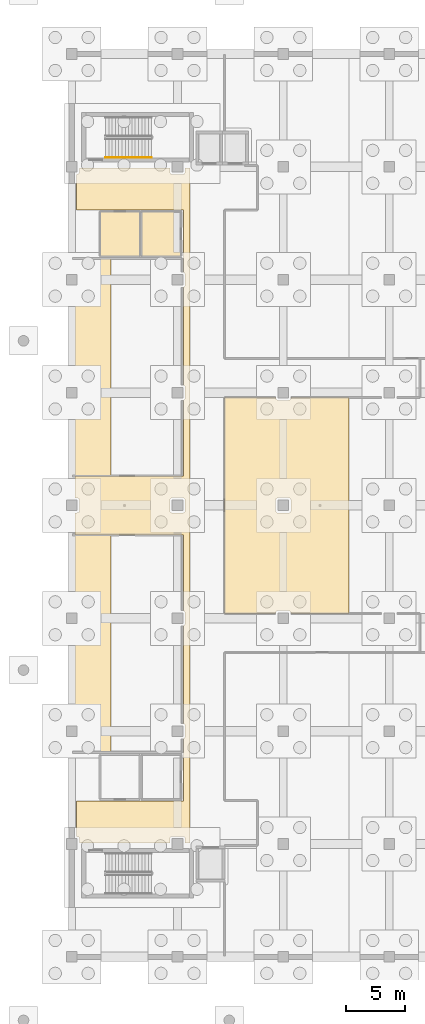
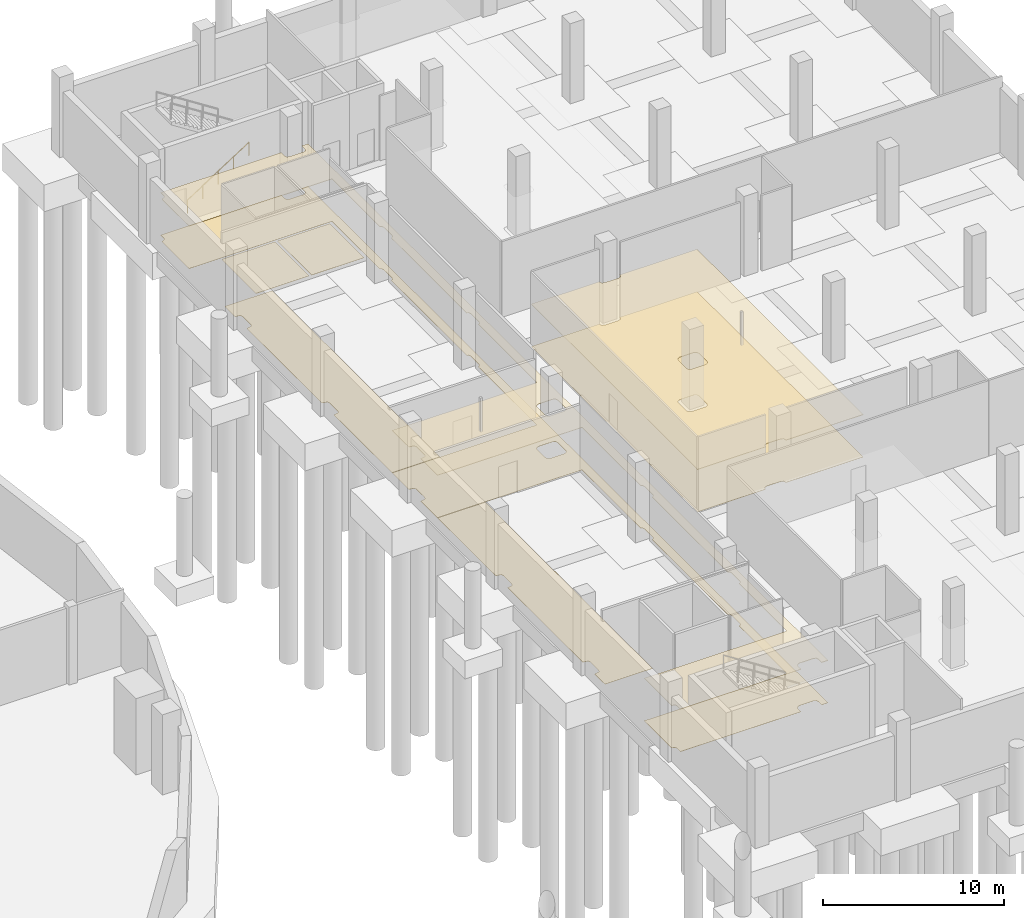
# One storey, part 20 of 22: 8 coverings, 1 railing.
"""IFC4 building model written with IfcOpenShell, lengths in metres."""

from ifc_helpers import new_model, si_unit, direction, frame, origin, origin_2d, place, context, subcontext, project, spatial, polyline, circle, outline, extrude, material, layer, layer_set, type_object, element, save


model = new_model("IFC4")

# Units and contexts
model_context = context("Model", 3, precision=1e-05, world=origin(), true_north=direction((0.0, 1.0)))
body_context = subcontext(model_context, "Body", "Model", "MODEL_VIEW")
ifc_project = project(units=[si_unit("LENGTHUNIT", "METRE"), si_unit("AREAUNIT", "SQUARE_METRE"), si_unit("VOLUMEUNIT", "CUBIC_METRE"), si_unit("PLANEANGLEUNIT", "RADIAN"), si_unit("MASSUNIT", "GRAM", prefix="KILO")], contexts=[model_context])

# Site, building, storey
site_placement = place(None, origin())
site = spatial("IfcSite", under=ifc_project, at=site_placement, CompositionType="ELEMENT")
building_placement = place(site_placement, origin())
building = spatial("IfcBuilding", under=site, at=building_placement, Name="Qorvath Tower", CompositionType="ELEMENT")
storey_placement = place(building_placement, frame((0.0, 0.0, -5.39990234375)))
storey = spatial("IfcBuildingStorey", under=building, at=storey_placement, Name="B01", CompositionType="ELEMENT", Elevation=-5.39990234375)

# Coverings
ifc_material_1 = material(Name="Acoustic mineral fibre ceiling tile", Category="gypsum")
ifc_layer_1 = layer(ifc_material_1, 0.030029296875)
ifc_layer_set_1 = layer_set([ifc_layer_1], Name="COV-CEIL")
covering_type_1 = type_object("IfcCoveringType", Name="COV-CEIL", PredefinedType="CEILING", material=ifc_layer_set_1)
covering_1_placement = place(storey_placement, frame((0.0, 0.0, 2.849853515625)))
element("IfcCovering", 1, at=covering_1_placement, inside=storey, type_object=covering_type_1, Name="B01 Suspended Acoustic Ceiling 005", PredefinedType="CEILING", context=body_context, shape_type="SweptSolid", body=[
    extrude(outline(polyline([(42.0546875, -19.65185546875), (41.99609375, -19.793212890625), (41.905029296875, -19.83251953125), (41.903564453125, -25.12353515625), (32.804931640625, -25.125), (32.804931640625, -28.146240234375), (32.99609375, -28.206787109375), (33.054931640625, -28.35009765625), (33.054931640625, -28.699951171875), (40.7451171875, -28.699951171875), (40.7451171875, -28.35009765625), (40.806640625, -28.203857421875), (40.949951171875, -28.14501953125), (41.85009765625, -28.14501953125), (41.993408203125, -28.203857421875), (42.0546875, -28.34814453125), (42.054931640625, -28.699951171875), (42.455078125, -28.69873046875), (42.455078125, 28.70849609375), (42.054931640625, 28.7099609375), (42.0546875, 28.34814453125), (41.993408203125, 28.203857421875), (41.85009765625, 28.14501953125), (40.949951171875, 28.14501953125), (40.806640625, 28.203857421875), (40.7451171875, 28.35009765625), (40.7451171875, 28.7099609375), (33.054931640625, 28.7099609375), (33.054931640625, 28.35009765625), (32.99609375, 28.206787109375), (32.804931640625, 28.146240234375), (32.804931640625, 25.125), (41.905029296875, 25.1201171875), (41.905029296875, 19.83251953125), (41.99609375, 19.793212890625), (42.054931640625, 19.64990234375), (42.054931640625, 18.75), (41.99609375, 18.606689453125), (41.905029296875, 18.5673828125), (41.905029296875, 10.232666015625), (41.99609375, 10.193359375), (42.054931640625, 10.050048828125), (42.054931640625, 9.14990234375), (41.99609375, 9.006591796875), (41.905029296875, 8.96728515625), (41.905029296875, 2.5), (32.68505859375, 2.4951171875), (32.68505859375, 0.655029296875), (32.993408203125, 0.595947265625), (33.0546875, 0.451904296875), (33.054931640625, -0.449951171875), (32.993408203125, -0.595947265625), (32.68505859375, -0.655029296875), (32.68505859375, -2.4951171875), (41.903564453125, -2.49658203125), (41.905029296875, -8.96728515625), (41.99609375, -9.006591796875), (42.054931640625, -9.14990234375), (42.054931640625, -10.050048828125), (41.99609375, -10.193359375), (41.905029296875, -10.232666015625), (41.905029296875, -18.5673828125), (41.99609375, -18.606689453125), (42.054931640625, -18.75), (42.0546875, -19.65185546875)]), holes=[polyline([(40.803955078125, -0.59326171875), (40.7451171875, -0.449951171875), (40.7451171875, 0.449951171875), (40.806640625, 0.595947265625), (40.949951171875, 0.655029296875), (41.85009765625, 0.655029296875), (41.99609375, 0.59326171875), (42.054931640625, 0.449951171875), (42.054931640625, -0.449951171875), (41.993408203125, -0.595947265625), (41.85009765625, -0.655029296875), (40.949951171875, -0.655029296875), (40.803955078125, -0.59326171875)])]), origin(), (0.0, 0.0, 1.0), 0.030029296875),
])
covering_2_placement = place(storey_placement, frame((0.0, 0.0, 2.849853515625)))
element("IfcCovering", 2, at=covering_2_placement, inside=storey, type_object=covering_type_1, Name="B01 Suspended Acoustic Ceiling 007", PredefinedType="CEILING", context=body_context, shape_type="SweptSolid", body=[
    extrude(outline(polyline([(55.980224609375, -9.18701171875), (55.980224609375, 9.18701171875), (51.0537109375, 9.18701171875), (50.99609375, 9.007080078125), (50.851806640625, 8.9453125), (49.949951171875, 8.945068359375), (49.8037109375, 9.007080078125), (49.746337890625, 9.18701171875), (45.4130859375, 9.18701171875), (45.4130859375, -9.18701171875), (49.746337890625, -9.18701171875), (49.8037109375, -9.007080078125), (49.949951171875, -8.945068359375), (50.851806640625, -8.9453125), (50.99609375, -9.007080078125), (51.0537109375, -9.18701171875), (55.980224609375, -9.18701171875)]), holes=[polyline([(50.851806640625, 0.654541015625), (50.99609375, 0.59326171875), (51.054931640625, 0.449951171875), (51.054931640625, -0.449951171875), (50.99609375, -0.59326171875), (50.85009765625, -0.655029296875), (49.949951171875, -0.655029296875), (49.806640625, -0.595947265625), (49.7451171875, -0.449951171875), (49.7451171875, 0.449951171875), (49.803955078125, 0.59326171875), (49.949951171875, 0.655029296875), (50.851806640625, 0.654541015625)])]), origin(), (0.0, 0.0, 1.0), 0.030029296875),
])
ifc_material_2 = material(Name="Polished epoxy terrazzo flooring", Category="concrete")
ifc_layer_2 = layer(ifc_material_2, 0.02001953125)
ifc_layer_set_2 = layer_set([ifc_layer_2], Name="COV-FLOOR-TRZ")
covering_type_2 = type_object("IfcCoveringType", Name="COV-FLOOR-TRZ", PredefinedType="FLOORING", material=ifc_layer_set_2)
covering_3_placement = place(storey_placement, origin())
element("IfcCovering", 3, at=covering_3_placement, inside=storey, type_object=covering_type_2, Name="B01 Floor Finish 001", PredefinedType="FLOORING", context=body_context, shape_type="SweptSolid", body=[
    extrude(outline(polyline([(38.195068359375, 24.9951171875), (34.804931640625, 24.9951171875), (34.804931640625, 21.205078125), (38.195068359375, 21.205078125), (38.195068359375, 24.9951171875)])), origin(), (0.0, 0.0, 1.0), 0.014892578125),
])
covering_4_placement = place(storey_placement, origin())
element("IfcCovering", 4, at=covering_4_placement, inside=storey, type_object=covering_type_2, Name="B01 Floor Finish 002", PredefinedType="FLOORING", context=body_context, shape_type="SweptSolid", body=[
    extrude(outline(polyline([(41.695068359375, 24.9951171875), (38.35498046875, 24.9951171875), (38.35498046875, 21.205078125), (41.695068359375, 21.205078125), (41.695068359375, 24.9951171875)])), origin(), (0.0, 0.0, 1.0), 0.014892578125),
])
covering_5_placement = place(storey_placement, origin())
element("IfcCovering", 5, at=covering_5_placement, inside=storey, type_object=covering_type_2, Name="B01 Floor Finish 005", PredefinedType="FLOORING", context=body_context, shape_type="SweptSolid", body=[
    extrude(outline(polyline([(42.0546875, -19.65185546875), (41.99609375, -19.793212890625), (41.905029296875, -19.83251953125), (41.903564453125, -25.12353515625), (32.804931640625, -25.125), (32.804931640625, -28.146240234375), (32.99609375, -28.206787109375), (33.054931640625, -28.35009765625), (33.054931640625, -28.699951171875), (40.7451171875, -28.699951171875), (40.7451171875, -28.35009765625), (40.806640625, -28.203857421875), (40.949951171875, -28.14501953125), (41.85009765625, -28.14501953125), (41.993408203125, -28.203857421875), (42.0546875, -28.34814453125), (42.054931640625, -28.699951171875), (42.455078125, -28.69873046875), (42.455078125, 28.70849609375), (42.054931640625, 28.7099609375), (42.0546875, 28.34814453125), (41.993408203125, 28.203857421875), (41.85009765625, 28.14501953125), (40.949951171875, 28.14501953125), (40.806640625, 28.203857421875), (40.7451171875, 28.35009765625), (40.7451171875, 28.7099609375), (33.054931640625, 28.7099609375), (33.054931640625, 28.35009765625), (32.99609375, 28.206787109375), (32.804931640625, 28.146240234375), (32.804931640625, 25.125), (41.905029296875, 25.1201171875), (41.905029296875, 19.83251953125), (41.99609375, 19.793212890625), (42.054931640625, 19.64990234375), (42.054931640625, 18.75), (41.99609375, 18.606689453125), (41.905029296875, 18.5673828125), (41.905029296875, 10.232666015625), (41.99609375, 10.193359375), (42.054931640625, 10.050048828125), (42.054931640625, 9.14990234375), (41.99609375, 9.006591796875), (41.905029296875, 8.96728515625), (41.905029296875, 2.5), (32.68505859375, 2.4951171875), (32.68505859375, 0.655029296875), (32.993408203125, 0.595947265625), (33.0546875, 0.451904296875), (33.054931640625, -0.449951171875), (32.993408203125, -0.595947265625), (32.68505859375, -0.655029296875), (32.68505859375, -2.4951171875), (41.903564453125, -2.49658203125), (41.905029296875, -8.96728515625), (41.99609375, -9.006591796875), (42.054931640625, -9.14990234375), (42.054931640625, -10.050048828125), (41.99609375, -10.193359375), (41.905029296875, -10.232666015625), (41.905029296875, -18.5673828125), (41.99609375, -18.606689453125), (42.054931640625, -18.75), (42.0546875, -19.65185546875)]), holes=[polyline([(40.803955078125, -0.59326171875), (40.7451171875, -0.449951171875), (40.7451171875, 0.449951171875), (40.806640625, 0.595947265625), (40.949951171875, 0.655029296875), (41.85009765625, 0.655029296875), (41.99609375, 0.59326171875), (42.054931640625, 0.449951171875), (42.054931640625, -0.449951171875), (41.993408203125, -0.595947265625), (41.85009765625, -0.655029296875), (40.949951171875, -0.655029296875), (40.803955078125, -0.59326171875)])]), origin(), (0.0, 0.0, 1.0), 0.014892578125),
])
covering_6_placement = place(storey_placement, origin())
element("IfcCovering", 6, at=covering_6_placement, inside=storey, type_object=covering_type_2, Name="B01 Floor Finish 007", PredefinedType="FLOORING", context=body_context, shape_type="SweptSolid", body=[
    extrude(outline(polyline([(55.980224609375, -9.18701171875), (55.980224609375, 9.18701171875), (51.0537109375, 9.18701171875), (50.99609375, 9.007080078125), (50.851806640625, 8.9453125), (49.949951171875, 8.945068359375), (49.8037109375, 9.007080078125), (49.746337890625, 9.18701171875), (45.4130859375, 9.18701171875), (45.4130859375, -9.18701171875), (49.746337890625, -9.18701171875), (49.8037109375, -9.007080078125), (49.949951171875, -8.945068359375), (50.851806640625, -8.9453125), (50.99609375, -9.007080078125), (51.0537109375, -9.18701171875), (55.980224609375, -9.18701171875)]), holes=[polyline([(50.851806640625, 0.654541015625), (50.99609375, 0.59326171875), (51.054931640625, 0.449951171875), (51.054931640625, -0.449951171875), (50.99609375, -0.59326171875), (50.85009765625, -0.655029296875), (49.949951171875, -0.655029296875), (49.806640625, -0.595947265625), (49.7451171875, -0.449951171875), (49.7451171875, 0.449951171875), (49.803955078125, 0.59326171875), (49.949951171875, 0.655029296875), (50.851806640625, 0.654541015625)])]), origin(), (0.0, 0.0, 1.0), 0.014892578125),
])
covering_7_placement = place(storey_placement, origin())
element("IfcCovering", 7, at=covering_7_placement, inside=storey, type_object=covering_type_2, Name="B01 Floor Finish 009", PredefinedType="FLOORING", context=body_context, shape_type="SweptSolid", body=[
    extrude(outline(polyline([(33.0546875, -19.65185546875), (32.993408203125, -19.796142578125), (32.68505859375, -19.85498046875), (32.68505859375, -20.9951171875), (35.7216796875, -20.9951171875), (35.7216796875, -2.512939453125), (32.68505859375, -2.512939453125), (32.68505859375, -8.945068359375), (32.993408203125, -9.00390625), (33.0546875, -9.148193359375), (33.054931640625, -10.050048828125), (32.993408203125, -10.196044921875), (32.68505859375, -10.2548828125), (32.68505859375, -18.544921875), (32.993408203125, -18.60400390625), (33.0546875, -18.748046875), (33.0546875, -19.65185546875)])), origin(), (0.0, 0.0, 1.0), 0.014892578125),
])
covering_8_placement = place(storey_placement, origin())
element("IfcCovering", 8, at=covering_8_placement, inside=storey, type_object=covering_type_2, Name="B01 Floor Finish 010", PredefinedType="FLOORING", context=body_context, shape_type="SweptSolid", body=[
    extrude(outline(polyline([(33.0546875, 9.148193359375), (32.993408203125, 9.00390625), (32.68505859375, 8.945068359375), (32.68505859375, 2.512939453125), (35.7216796875, 2.512939453125), (35.7216796875, 20.9951171875), (32.68505859375, 20.9951171875), (32.68505859375, 19.85498046875), (32.993408203125, 19.796142578125), (33.0546875, 19.65185546875), (33.054931640625, 18.75), (32.993408203125, 18.60400390625), (32.68505859375, 18.544921875), (32.68505859375, 10.2548828125), (32.993408203125, 10.196044921875), (33.0546875, 10.052001953125), (33.0546875, 9.148193359375)])), origin(), (0.0, 0.0, 1.0), 0.014892578125),
])

# Railing
ifc_material_3 = material(Name="Brushed stainless steel AISI 304", Category="steel")
railing_type = type_object("IfcRailingType", Name="RL-STR-HND", PredefinedType="HANDRAIL", material=ifc_material_3)
railing_placement = place(storey_placement, frame((35.280029296875, 29.60009765625, 0.179931640625)))
element("IfcRailing", 9, at=railing_placement, inside=storey, type_object=railing_type, Name="B01 LS1 stair handrail 1", PredefinedType="HANDRAIL", context=body_context, shape_type="SweptSolid", body=[
    extrude(circle(Radius=0.02392578125, at=origin_2d()), frame((0.0, 0.0, 0.8759765625), z_axis=(0.841171666519, 0.0, 0.540768182723), x_axis=(0.0, 1.0, 0.0)), (0.0, 0.0, 1.0), 4.66015625),
    extrude(circle(Radius=0.02099609375, at=origin_2d()), origin(), (0.0, 0.0, 1.0), 0.851806640625),
    extrude(circle(Radius=0.02099609375, at=origin_2d()), frame((0.97998046875, 0.0, 0.6298828125)), (0.0, 0.0, 1.0), 0.851806640625),
    extrude(circle(Radius=0.02099609375, at=origin_2d()), frame((1.9599609375, 0.0, 1.260009765625)), (0.0, 0.0, 1.0), 0.851806640625),
    extrude(circle(Radius=0.02099609375, at=origin_2d()), frame((2.93994140625, 0.0, 1.89013671875)), (0.0, 0.0, 1.0), 0.851806640625),
    extrude(circle(Radius=0.02099609375, at=origin_2d()), frame((3.919921875, 0.0, 2.52001953125)), (0.0, 0.0, 1.0), 0.851806640625),
])

save(model, "model.ifc")
